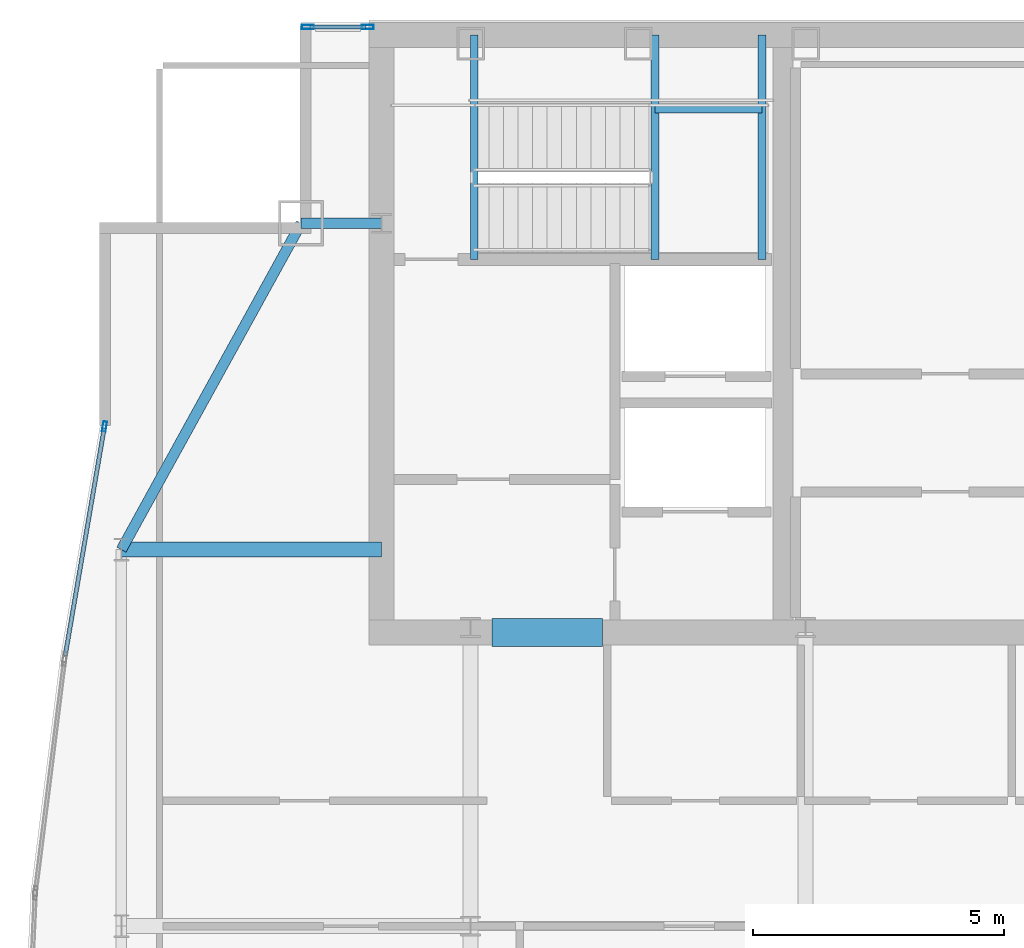
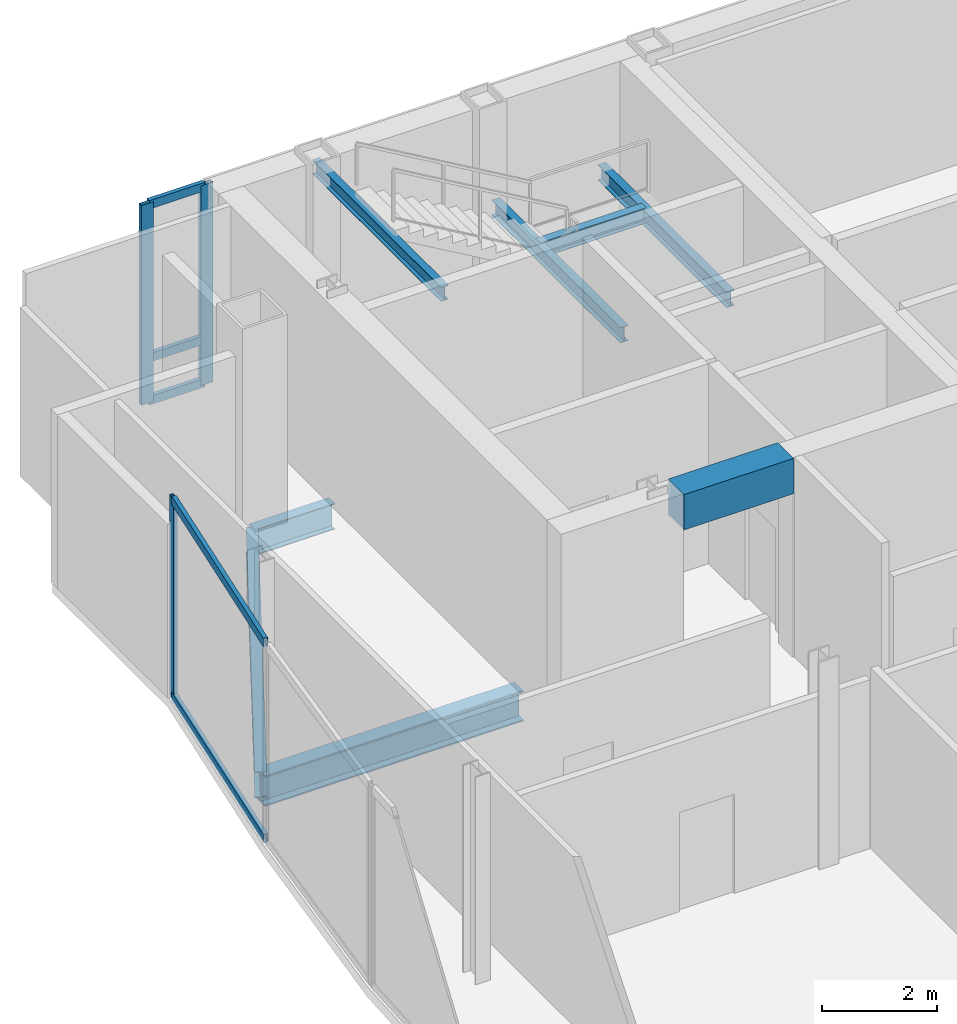
# One storey, part 18 of 27: 8 beams, 8 members, 2 elements without a shape of their own.
"""IFC4 building model written with IfcOpenShell, lengths in metres."""

from ifc_helpers import new_model, si_unit, direction, frame, origin, origin_2d, place, context, subcontext, project, spatial, rectangle, hollow_rectangle, i_section, extrude, material, material_profile, profile_set, type_object, element, aggregate, save


model = new_model("IFC4")

# Units and contexts
model_context = context("Model", 3, precision=1e-05, world=origin(), true_north=direction((0.0, 1.0)))
body_context = subcontext(model_context, "Body", "Model", "MODEL_VIEW")
ifc_project = project(units=[si_unit("LENGTHUNIT", "METRE"), si_unit("AREAUNIT", "SQUARE_METRE"), si_unit("VOLUMEUNIT", "CUBIC_METRE"), si_unit("PLANEANGLEUNIT", "RADIAN"), si_unit("MASSUNIT", "GRAM", prefix="KILO")], contexts=[model_context])

# Site, building, storey
site_placement = place(None, origin())
site = spatial("IfcSite", under=ifc_project, at=site_placement, CompositionType="ELEMENT")
building_placement = place(site_placement, origin())
building = spatial("IfcBuilding", under=site, at=building_placement, Name="Khoronbel Lancet Exchange", CompositionType="ELEMENT")
storey_placement = place(building_placement, frame((0.0, 0.0, 305.800048828125)))
storey = spatial("IfcBuildingStorey", under=building, at=storey_placement, Name="L79", CompositionType="ELEMENT", Elevation=305.800048828125)

# Beams
ifc_material_1 = material(Name="Steel S355", Category="steel")
ifc_material_profile_1 = material_profile(ifc_material_1, i_section(OverallWidth=0.300048828125, OverallDepth=0.64990234375, WebThickness=0.01611328125, FlangeThickness=0.031005859375, at=origin_2d()), Name="HEB 650")
ifc_profile_set_1 = profile_set([ifc_material_profile_1], Name="Steel S355")
beam_type_1 = type_object("IfcBeamType", Name="BM-BG4", PredefinedType="BEAM", material=ifc_profile_set_1)
beam_1_placement = place(storey_placement, frame((11.27001953125, 43.199951171875, -0.545166015625), z_axis=(1.0, 0.0, 0.0), x_axis=(0.0, 1.0, 0.0)))
element("IfcBeam", 1, at=beam_1_placement, inside=storey, type_object=beam_type_1, Name="Level L79 west lens tie girder LG3W", PredefinedType="BEAM", context=body_context, shape_type="SweptSolid", body=[
    extrude(i_section(OverallWidth=0.300048828125, OverallDepth=0.64990234375, WebThickness=0.01611328125, FlangeThickness=0.031005859375, at=origin_2d()), origin(), (0.0, 0.0, 1.0), 5.179931640625),
])
ifc_material_profile_2 = material_profile(ifc_material_1, i_section(OverallWidth=0.159912109375, OverallDepth=0.330078125, WebThickness=0.007568359375, FlangeThickness=0.011474609375, at=origin_2d()), Name="IPE 330")
ifc_profile_set_2 = profile_set([ifc_material_profile_2], Name="Steel S355")
beam_type_2 = type_object("IfcBeamType", Name="BM-BJ7", PredefinedType="JOIST", material=ifc_profile_set_2)
for number, where, z_axis, x_axis, name in (
    (2, (21.89990234375, 48.97998046875, 1.8349609375), (0.0, 1.0, 0.0), (-1.0, 0.0, 0.0), "Level L79 stair ST1 landing bearer beam 1"),
    (3, (24.030029296875, 48.97998046875, 1.8349609375), (0.0, 1.0, 0.0), (-1.0, 0.0, 0.0), "Level L79 stair ST1 rear landing bearer beam 1"),
):
    element("IfcBeam", number, at=place(storey_placement, frame(where, z_axis=z_axis, x_axis=x_axis)), inside=storey, type_object=beam_type_2, Name=name, PredefinedType="JOIST", context=body_context, shape_type="SweptSolid", body=[
        extrude(i_section(OverallWidth=0.159912109375, OverallDepth=0.330078125, WebThickness=0.007568359375, FlangeThickness=0.011474609375, at=origin_2d()), origin(), (0.0, 0.0, 1.0), 4.469970703125),
    ])
beam_2_placement = place(storey_placement, frame((21.89990234375, 51.97998046875, 1.8349609375), z_axis=(1.0, 0.0, 0.0), x_axis=(0.0, 1.0, 0.0)))
element("IfcBeam", 4, at=beam_2_placement, inside=storey, type_object=beam_type_2, Name="Level L79 stair ST1 landing cross trimmer beam 1", PredefinedType="JOIST", context=body_context, shape_type="SweptSolid", body=[
    extrude(i_section(OverallWidth=0.159912109375, OverallDepth=0.330078125, WebThickness=0.007568359375, FlangeThickness=0.011474609375, at=origin_2d()), origin(), (0.0, 0.0, 1.0), 2.130126953125),
])
ifc_material_profile_3 = material_profile(ifc_material_1, i_section(OverallWidth=0.14990234375, OverallDepth=0.300048828125, WebThickness=0.007080078125, FlangeThickness=0.0107421875, at=origin_2d()), Name="IPE 300")
ifc_profile_set_3 = profile_set([ifc_material_profile_3], Name="Steel S355")
beam_type_3 = type_object("IfcBeamType", Name="BM-BJ8", PredefinedType="JOIST", material=ifc_profile_set_3)
beam_3_placement = place(storey_placement, frame((18.300048828125, 48.97998046875, 3.9599609375), z_axis=(0.0, 1.0, 0.0), x_axis=(-1.0, 0.0, 0.0)))
element("IfcBeam", 5, at=beam_3_placement, inside=storey, type_object=beam_type_3, Name="Level L79 stair ST1 upper-flight arrival trimmer beam", PredefinedType="JOIST", context=body_context, shape_type="SweptSolid", body=[
    extrude(i_section(OverallWidth=0.14990234375, OverallDepth=0.300048828125, WebThickness=0.007080078125, FlangeThickness=0.0107421875, at=origin_2d()), origin(), (0.0, 0.0, 1.0), 4.469970703125),
])
ifc_material_2 = material(Name="Concrete C60/75", Category="concrete")
ifc_material_profile_4 = material_profile(ifc_material_2, rectangle(XDim=0.550048828125, YDim=0.75, at=origin_2d()), Name="RC 550x750")
ifc_profile_set_4 = profile_set([ifc_material_profile_4], Name="Concrete C60/75")
beam_type_4 = type_object("IfcBeamType", Name="BM-BL2", PredefinedType="LINTEL", material=ifc_profile_set_4)
beam_4_placement = place(storey_placement, frame((18.64990234375, 41.550048828125, 3.864990234375), z_axis=(1.0, 0.0, 0.0), x_axis=(0.0, 1.0, 0.0)))
element("IfcBeam", 6, at=beam_4_placement, inside=storey, type_object=beam_type_4, Name="Level L79 rear core coupling lintel L1", PredefinedType="LINTEL", context=body_context, shape_type="SweptSolid", body=[
    extrude(rectangle(XDim=0.550048828125, YDim=0.75, at=origin_2d()), origin(), (0.0, 0.0, 1.0), 2.2001953125),
])
ifc_material_profile_5 = material_profile(ifc_material_1, i_section(OverallWidth=0.2099609375, OverallDepth=0.550048828125, WebThickness=0.010986328125, FlangeThickness=0.01708984375, at=origin_2d()), Name="IPE 550")
ifc_profile_set_5 = profile_set([ifc_material_profile_5], Name="Steel S355")
beam_type_5 = type_object("IfcBeamType", Name="BM-BSP3", PredefinedType="SPANDREL", material=ifc_profile_set_5)
beam_5_placement = place(storey_placement, frame((14.85009765625, 49.699951171875, -0.4951171875), z_axis=(-0.482444051088, -0.875926787791, 0.0), x_axis=(0.875926787791, -0.482444051088, 0.0)))
element("IfcBeam", 7, at=beam_5_placement, inside=storey, type_object=beam_type_5, Name="Level L79 perimeter spandrel beam SP14", PredefinedType="SPANDREL", context=body_context, shape_type="SweptSolid", body=[
    extrude(i_section(OverallWidth=0.2099609375, OverallDepth=0.550048828125, WebThickness=0.010986328125, FlangeThickness=0.01708984375, at=origin_2d()), origin(), (0.0, 0.0, 1.0), 7.420654296875),
])
beam_6_placement = place(storey_placement, frame((14.85009765625, 49.699951171875, -0.4951171875), z_axis=(1.0, 0.0, 0.0), x_axis=(0.0, 1.0, 0.0)))
element("IfcBeam", 8, at=beam_6_placement, inside=storey, type_object=beam_type_5, Name="Level L79 north flank tie spandrel SP20", PredefinedType="SPANDREL", context=body_context, shape_type="SweptSolid", body=[
    extrude(i_section(OverallWidth=0.2099609375, OverallDepth=0.550048828125, WebThickness=0.010986328125, FlangeThickness=0.01708984375, at=origin_2d()), origin(), (0.0, 0.0, 1.0), 1.599853515625),
])

# Curtain wall, members
ifc_material_3 = material(Name="Low-E Solar Control Insulating Glass", Category="glass")
curtain_wall_type_1 = type_object("IfcCurtainWallType", Name="CW-3", PredefinedType="NOTDEFINED", material=ifc_material_3)
curtain_wall_1_placement = place(storey_placement, origin())
curtain_wall_1 = element("IfcCurtainWall", 9, at=curtain_wall_1_placement, inside=storey, type_object=curtain_wall_type_1, Name="Unitised curtain wall CW-L79-NWFLK", PredefinedType="NOTDEFINED")
ifc_material_4 = material(Name="Bronze-Anodised Aluminium 6063-T6", Category="aluminium")
ifc_material_profile_6 = material_profile(ifc_material_4, hollow_rectangle(XDim=0.0849609375, YDim=0.239990234375, WallThickness=0.006103515625, at=origin_2d()), Name="ALU MULLION 85x240")
ifc_profile_set_6 = profile_set([ifc_material_profile_6], Name="Bronze-Anodised Aluminium 6063-T6")
member_type_1 = type_object("IfcMemberType", Name="MEM-CWM1", PredefinedType="MULLION", material=ifc_profile_set_6)
member_1_placement = place(storey_placement, frame((16.177490234375, 53.610107421875, 0.0), z_axis=(0.0, 0.0, 1.0), x_axis=(0.0, -1.0, 0.0)))
member_1 = element("IfcMember", 10, at=member_1_placement, type_object=member_type_1, Name="CW3 mullion 1", PredefinedType="MULLION", context=body_context, shape_type="SweptSolid", body=[
    extrude(hollow_rectangle(XDim=0.0849609375, YDim=0.239990234375, WallThickness=0.006103515625, at=origin_2d()), origin(), (0.0, 0.0, 1.0), 4.239990234375),
])
member_2_placement = place(storey_placement, frame((14.982421875, 53.610107421875, 0.0), z_axis=(0.0, 0.0, 1.0), x_axis=(0.0, -1.0, 0.0)))
member_2 = element("IfcMember", 11, at=member_2_placement, type_object=member_type_1, Name="CW3 mullion 2", PredefinedType="MULLION", context=body_context, shape_type="SweptSolid", body=[
    extrude(hollow_rectangle(XDim=0.0849609375, YDim=0.239990234375, WallThickness=0.006103515625, at=origin_2d()), origin(), (0.0, 0.0, 1.0), 4.239990234375),
])

curtain_wall_type_2 = type_object("IfcCurtainWallType", Name="CW-4", PredefinedType="NOTDEFINED", material=ifc_material_3)
curtain_wall_2_placement = place(storey_placement, origin())
curtain_wall_2 = element("IfcCurtainWall", 12, at=curtain_wall_2_placement, inside=storey, type_object=curtain_wall_type_2, Name="Unitised curtain wall CW-L79-E09", PredefinedType="NOTDEFINED")
ifc_material_profile_7 = material_profile(ifc_material_4, hollow_rectangle(XDim=0.074951171875, YDim=0.199951171875, WallThickness=0.0048828125, at=origin_2d()), Name="ALU MULLION 75x200")
ifc_profile_set_7 = profile_set([ifc_material_profile_7], Name="Bronze-Anodised Aluminium 6063-T6")
member_type_2 = type_object("IfcMemberType", Name="MEM-CWM2", PredefinedType="MULLION", material=ifc_profile_set_7)
member_3_placement = place(storey_placement, frame((10.93359375, 45.6552734375, 0.0), z_axis=(0.0, 0.0, 1.0), x_axis=(-0.985620448013, 0.168974354443, 0.0)))
member_3 = element("IfcMember", 13, at=member_3_placement, type_object=member_type_2, Name="CW4 mullion 2", PredefinedType="MULLION", context=body_context, shape_type="SweptSolid", body=[
    extrude(hollow_rectangle(XDim=0.074951171875, YDim=0.199951171875, WallThickness=0.0048828125, at=origin_2d()), origin(), (0.0, 0.0, 1.0), 4.239990234375),
])
ifc_material_profile_8 = material_profile(ifc_material_4, hollow_rectangle(XDim=0.0849609375, YDim=0.179931640625, WallThickness=0.0048828125, at=origin_2d()), Name="ALU TRANSOM 85x180")
ifc_profile_set_8 = profile_set([ifc_material_profile_8], Name="Bronze-Anodised Aluminium 6063-T6")
member_type_3 = type_object("IfcMemberType", Name="MEM-CWT1", PredefinedType="USERDEFINED", material=ifc_profile_set_8)
member_4_placement = place(storey_placement, frame((10.151611328125, 41.093994140625, 0.04248046875), z_axis=(0.168968243665, 0.985621495622, 0.0), x_axis=(-0.985621495622, 0.168968243665, 0.0)))
member_4 = element("IfcMember", 14, at=member_4_placement, type_object=member_type_3, Name="CW4 transom 1.1", ObjectType="TRANSOM", PredefinedType="USERDEFINED", context=body_context, shape_type="SweptSolid", body=[
    extrude(hollow_rectangle(XDim=0.0849609375, YDim=0.179931640625, WallThickness=0.0048828125, at=origin_2d()), origin(), (0.0, 0.0, 1.0), 4.59033203125),
])
member_5_placement = place(storey_placement, frame((10.151611328125, 41.093994140625, 4.197509765625), z_axis=(0.168968243665, 0.985621495622, 0.0), x_axis=(-0.985621495622, 0.168968243665, 0.0)))
member_5 = element("IfcMember", 15, at=member_5_placement, type_object=member_type_3, Name="CW4 transom 1.2", ObjectType="TRANSOM", PredefinedType="USERDEFINED", context=body_context, shape_type="SweptSolid", body=[
    extrude(hollow_rectangle(XDim=0.0849609375, YDim=0.179931640625, WallThickness=0.0048828125, at=origin_2d()), origin(), (0.0, 0.0, 1.0), 4.59033203125),
])
aggregate(curtain_wall_2, [member_3, member_4, member_5])

# Member
member_6_placement = place(storey_placement, frame((16.135009765625, 53.610107421875, 0.04248046875), z_axis=(-1.0, 0.0, 0.0), x_axis=(0.0, -1.0, 0.0)))
member_6 = element("IfcMember", 16, at=member_6_placement, type_object=member_type_3, Name="CW3 transom 1.1", ObjectType="TRANSOM", PredefinedType="USERDEFINED", context=body_context, shape_type="SweptSolid", body=[
    extrude(hollow_rectangle(XDim=0.0849609375, YDim=0.179931640625, WallThickness=0.0048828125, at=origin_2d()), origin(), (0.0, 0.0, 1.0), 1.110107421875),
])

member_7_placement = place(storey_placement, frame((16.135009765625, 53.610107421875, 0.949951171875), z_axis=(-1.0, 0.0, 0.0), x_axis=(0.0, -1.0, 0.0)))
member_7 = element("IfcMember", 17, at=member_7_placement, type_object=member_type_3, Name="CW3 transom 1.2", ObjectType="TRANSOM", PredefinedType="USERDEFINED", context=body_context, shape_type="SweptSolid", body=[
    extrude(hollow_rectangle(XDim=0.0849609375, YDim=0.179931640625, WallThickness=0.0048828125, at=origin_2d()), origin(), (0.0, 0.0, 1.0), 1.110107421875),
])

member_8_placement = place(storey_placement, frame((16.135009765625, 53.610107421875, 4.197509765625), z_axis=(-1.0, 0.0, 0.0), x_axis=(0.0, -1.0, 0.0)))
member_8 = element("IfcMember", 18, at=member_8_placement, type_object=member_type_3, Name="CW3 transom 1.3", ObjectType="TRANSOM", PredefinedType="USERDEFINED", context=body_context, shape_type="SweptSolid", body=[
    extrude(hollow_rectangle(XDim=0.0849609375, YDim=0.179931640625, WallThickness=0.0048828125, at=origin_2d()), origin(), (0.0, 0.0, 1.0), 1.110107421875),
])

aggregate(curtain_wall_1, [member_1, member_2, member_6, member_7, member_8])

save(model, "model.ifc")
